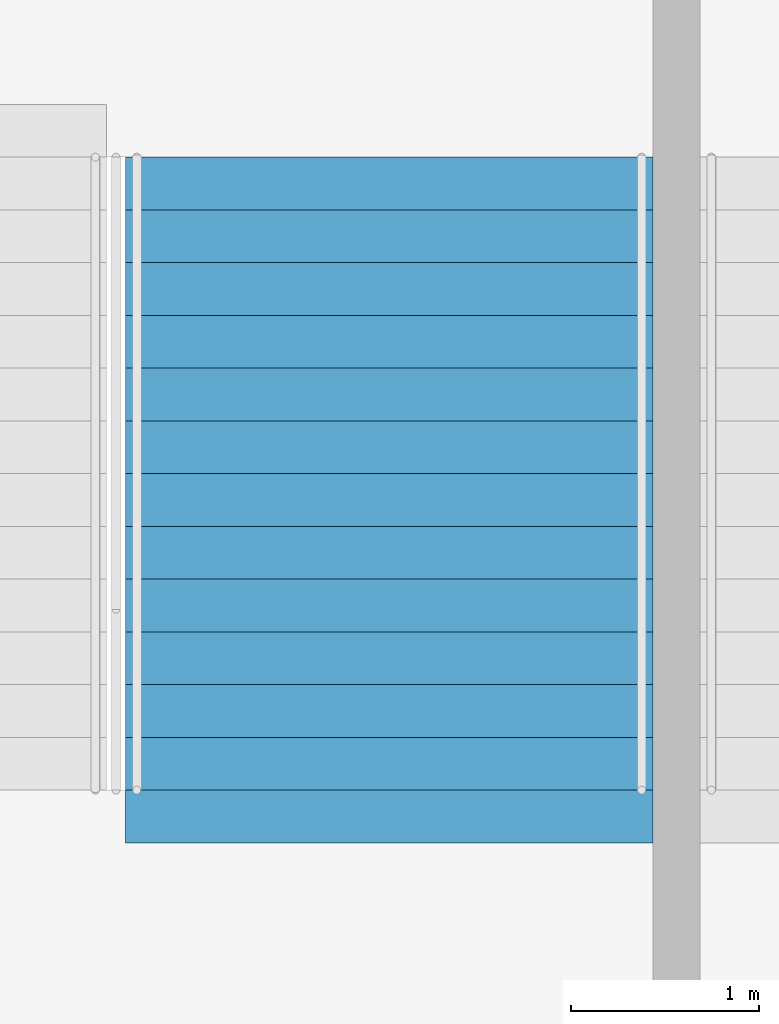
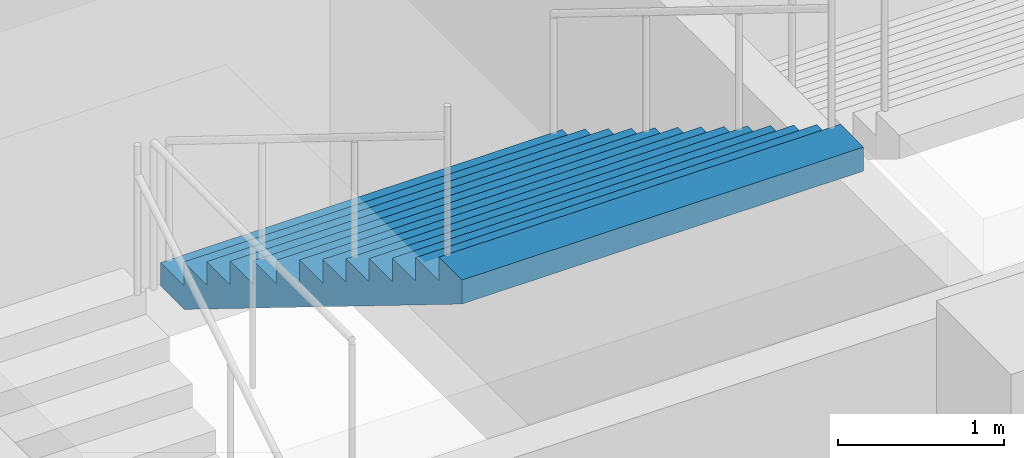
# One storey, part 149 of 177: 1 stair flight, 1 element without a shape of its own.
"""IFC4 building model written with IfcOpenShell, lengths in metres."""

from ifc_helpers import new_model, si_unit, direction, frame, origin, place, context, subcontext, project, spatial, faceted_brep, material, type_object, element, aggregate, save


model = new_model("IFC4")

# Units and contexts
model_context = context("Model", 3, precision=1e-05, world=origin(), true_north=direction((0.0, 1.0)))
body_context = subcontext(model_context, "Body", "Model", "MODEL_VIEW")
ifc_project = project(units=[si_unit("LENGTHUNIT", "METRE"), si_unit("AREAUNIT", "SQUARE_METRE"), si_unit("VOLUMEUNIT", "CUBIC_METRE"), si_unit("PLANEANGLEUNIT", "RADIAN"), si_unit("MASSUNIT", "GRAM", prefix="KILO")], contexts=[model_context])

# Site, building, storey
site_placement = place(None, origin())
site = spatial("IfcSite", under=ifc_project, at=site_placement, CompositionType="ELEMENT")
building_placement = place(site_placement, origin())
building = spatial("IfcBuilding", under=site, at=building_placement, Name="Ogive Plaza Stadium", CompositionType="ELEMENT")
storey_placement = place(building_placement, frame((0.0, 0.0, 18.0)))
storey = spatial("IfcBuildingStorey", under=building, at=storey_placement, Name="L04", CompositionType="ELEMENT", Elevation=18.0)

# Stair, stair flight
ifc_material_1 = material(Name="Concrete C40/50", Category="concrete")
stair_type = type_object("IfcStairType", Name="Exit stair", PredefinedType="STRAIGHT_RUN_STAIR", material=ifc_material_1)
stair_placement = place(storey_placement, origin())
stair = element("IfcStair", 1, at=stair_placement, inside=storey, type_object=stair_type, Name="Exit stair ST36B L04 to L05", PredefinedType="STRAIGHT_RUN_STAIR")
ifc_material_2 = material(Name="Concrete C40/50", Category="concrete")
stair_flight_type = type_object("IfcStairFlightType", Name="Exit stair flight", PredefinedType="STRAIGHT", material=ifc_material_2)
stair_flight_placement = place(storey_placement, frame((18.875, 98.2099609375, 2.25), z_axis=(0.0, 0.0, 1.0), x_axis=(0.0, -1.0, 0.0)))
stair_flight = element("IfcStairFlight", 2, at=stair_flight_placement, type_object=stair_flight_type, Name="ST36B flight 2", NumberOfRisers=13, NumberOfTreads=12, PredefinedType="STRAIGHT", RiserHeight=0.173076923, TreadLength=0.28, context=body_context, shape_type="Brep", body=[
    faceted_brep([(0.28515625, -1.39990234375, 0.0), (3.639892578125, -1.39990234375, 2.07373046875), (3.639892578125, -1.39990234375, 2.25), (3.360107421875, -1.39990234375, 2.25), (3.360107421875, -1.39990234375, 2.076904296875), (3.080078125, -1.39990234375, 2.076904296875), (3.080078125, -1.39990234375, 1.90380859375), (2.800048828125, -1.39990234375, 1.90380859375), (2.800048828125, -1.39990234375, 1.730712890625), (2.52001953125, -1.39990234375, 1.730712890625), (2.52001953125, -1.39990234375, 1.5576171875), (2.239990234375, -1.39990234375, 1.5576171875), (2.239990234375, -1.39990234375, 1.384521484375), (1.9599609375, -1.39990234375, 1.384521484375), (1.9599609375, -1.39990234375, 1.21142578125), (1.679931640625, -1.39990234375, 1.21142578125), (1.679931640625, -1.39990234375, 1.03857421875), (1.39990234375, -1.39990234375, 1.03857421875), (1.39990234375, -1.39990234375, 0.865478515625), (1.1201171875, -1.39990234375, 0.865478515625), (1.1201171875, -1.39990234375, 0.6923828125), (0.840087890625, -1.39990234375, 0.6923828125), (0.840087890625, -1.39990234375, 0.519287109375), (0.56005859375, -1.39990234375, 0.519287109375), (0.56005859375, -1.39990234375, 0.34619140625), (0.280029296875, -1.39990234375, 0.34619140625), (0.280029296875, -1.39990234375, 0.173095703125), (0.0, -1.39990234375, 0.173095703125), (0.0, -1.39990234375, 0.0), (0.0, 1.39990234375, 0.0), (0.0, 1.39990234375, 0.173095703125), (0.280029296875, 1.39990234375, 0.173095703125), (0.280029296875, 1.39990234375, 0.34619140625), (0.56005859375, 1.39990234375, 0.34619140625), (0.56005859375, 1.39990234375, 0.519287109375), (0.840087890625, 1.39990234375, 0.519287109375), (0.840087890625, 1.39990234375, 0.6923828125), (1.1201171875, 1.39990234375, 0.6923828125), (1.1201171875, 1.39990234375, 0.865478515625), (1.39990234375, 1.39990234375, 0.865478515625), (1.39990234375, 1.39990234375, 1.03857421875), (1.679931640625, 1.39990234375, 1.03857421875), (1.679931640625, 1.39990234375, 1.21142578125), (1.9599609375, 1.39990234375, 1.21142578125), (1.9599609375, 1.39990234375, 1.384521484375), (2.239990234375, 1.39990234375, 1.384521484375), (2.239990234375, 1.39990234375, 1.5576171875), (2.52001953125, 1.39990234375, 1.5576171875), (2.52001953125, 1.39990234375, 1.730712890625), (2.800048828125, 1.39990234375, 1.730712890625), (2.800048828125, 1.39990234375, 1.90380859375), (3.080078125, 1.39990234375, 1.90380859375), (3.080078125, 1.39990234375, 2.076904296875), (3.360107421875, 1.39990234375, 2.076904296875), (3.360107421875, 1.39990234375, 2.25), (3.639892578125, 1.39990234375, 2.25), (3.639892578125, 1.39990234375, 2.07373046875), (0.28515625, 1.39990234375, 0.0), (0.28515625, -1.0888671875, 0.0), (3.639892578125, -1.0888671875, 2.07373046875), (0.28515625, -0.77783203125, 0.0), (3.639892578125, -0.77783203125, 2.07373046875), (0.28515625, -0.466796875, 0.0), (3.639892578125, -0.466796875, 2.07373046875), (0.28515625, -0.155517578125, 0.0), (3.639892578125, -0.155517578125, 2.07373046875), (0.28515625, 0.155517578125, 0.0), (3.639892578125, 0.155517578125, 2.07373046875), (0.28515625, 0.466796875, 0.0), (3.639892578125, 0.466796875, 2.07373046875), (0.28515625, 0.77783203125, 0.0), (3.639892578125, 0.77783203125, 2.07373046875), (0.28515625, 1.0888671875, 0.0), (3.639892578125, 1.0888671875, 2.07373046875), (3.639892578125, -1.0888671875, 2.25), (3.639892578125, -0.77783203125, 2.25), (3.639892578125, -0.466796875, 2.25), (3.639892578125, -0.155517578125, 2.25), (3.639892578125, 0.155517578125, 2.25), (3.639892578125, 0.466796875, 2.25), (3.639892578125, 0.77783203125, 2.25), (3.639892578125, 1.0888671875, 2.25), (3.360107421875, -1.0888671875, 2.25), (3.360107421875, -0.77783203125, 2.25), (3.360107421875, -0.466796875, 2.25), (3.360107421875, -0.155517578125, 2.25), (3.360107421875, 0.155517578125, 2.25), (3.360107421875, 0.466796875, 2.25), (3.360107421875, 0.77783203125, 2.25), (3.360107421875, 1.0888671875, 2.25), (3.360107421875, -1.0888671875, 2.076904296875), (3.360107421875, -0.77783203125, 2.076904296875), (3.360107421875, -0.466796875, 2.076904296875), (3.360107421875, -0.155517578125, 2.076904296875), (3.360107421875, 0.155517578125, 2.076904296875), (3.360107421875, 0.466796875, 2.076904296875), (3.360107421875, 0.77783203125, 2.076904296875), (3.360107421875, 1.0888671875, 2.076904296875), (3.080078125, -1.0888671875, 2.076904296875), (3.080078125, -0.77783203125, 2.076904296875), (3.080078125, -0.466796875, 2.076904296875), (3.080078125, -0.155517578125, 2.076904296875), (3.080078125, 0.155517578125, 2.076904296875), (3.080078125, 0.466796875, 2.076904296875), (3.080078125, 0.77783203125, 2.076904296875), (3.080078125, 1.0888671875, 2.076904296875), (3.080078125, -1.0888671875, 1.90380859375), (3.080078125, -0.77783203125, 1.90380859375), (3.080078125, -0.466796875, 1.90380859375), (3.080078125, -0.155517578125, 1.90380859375), (3.080078125, 0.155517578125, 1.90380859375), (3.080078125, 0.466796875, 1.90380859375), (3.080078125, 0.77783203125, 1.90380859375), (3.080078125, 1.0888671875, 1.90380859375), (2.800048828125, -1.0888671875, 1.90380859375), (2.800048828125, -0.77783203125, 1.90380859375), (2.800048828125, -0.466796875, 1.90380859375), (2.800048828125, -0.155517578125, 1.90380859375), (2.800048828125, 0.155517578125, 1.90380859375), (2.800048828125, 0.466796875, 1.90380859375), (2.800048828125, 0.77783203125, 1.90380859375), (2.800048828125, 1.0888671875, 1.90380859375), (2.800048828125, -1.0888671875, 1.730712890625), (2.800048828125, -0.77783203125, 1.730712890625), (2.800048828125, -0.466796875, 1.730712890625), (2.800048828125, -0.155517578125, 1.730712890625), (2.800048828125, 0.155517578125, 1.730712890625), (2.800048828125, 0.466796875, 1.730712890625), (2.800048828125, 0.77783203125, 1.730712890625), (2.800048828125, 1.0888671875, 1.730712890625), (2.52001953125, -1.0888671875, 1.730712890625), (2.52001953125, -0.77783203125, 1.730712890625), (2.52001953125, -0.466796875, 1.730712890625), (2.52001953125, -0.155517578125, 1.730712890625), (2.52001953125, 0.155517578125, 1.730712890625), (2.52001953125, 0.466796875, 1.730712890625), (2.52001953125, 0.77783203125, 1.730712890625), (2.52001953125, 1.0888671875, 1.730712890625), (2.52001953125, -1.0888671875, 1.5576171875), (2.52001953125, -0.77783203125, 1.5576171875), (2.52001953125, -0.466796875, 1.5576171875), (2.52001953125, -0.155517578125, 1.5576171875), (2.52001953125, 0.155517578125, 1.5576171875), (2.52001953125, 0.466796875, 1.5576171875), (2.52001953125, 0.77783203125, 1.5576171875), (2.52001953125, 1.0888671875, 1.5576171875), (2.239990234375, -1.0888671875, 1.5576171875), (2.239990234375, -0.77783203125, 1.5576171875), (2.239990234375, -0.466796875, 1.5576171875), (2.239990234375, -0.155517578125, 1.5576171875), (2.239990234375, 0.155517578125, 1.5576171875), (2.239990234375, 0.466796875, 1.5576171875), (2.239990234375, 0.77783203125, 1.5576171875), (2.239990234375, 1.0888671875, 1.5576171875), (2.239990234375, -1.0888671875, 1.384521484375), (2.239990234375, -0.77783203125, 1.384521484375), (2.239990234375, -0.466796875, 1.384521484375), (2.239990234375, -0.155517578125, 1.384521484375), (2.239990234375, 0.155517578125, 1.384521484375), (2.239990234375, 0.466796875, 1.384521484375), (2.239990234375, 0.77783203125, 1.384521484375), (2.239990234375, 1.0888671875, 1.384521484375), (1.9599609375, -1.0888671875, 1.384521484375), (1.9599609375, -0.77783203125, 1.384521484375), (1.9599609375, -0.466796875, 1.384521484375), (1.9599609375, -0.155517578125, 1.384521484375), (1.9599609375, 0.155517578125, 1.384521484375), (1.9599609375, 0.466796875, 1.384521484375), (1.9599609375, 0.77783203125, 1.384521484375), (1.9599609375, 1.0888671875, 1.384521484375), (1.9599609375, -1.0888671875, 1.21142578125), (1.9599609375, -0.77783203125, 1.21142578125), (1.9599609375, -0.466796875, 1.21142578125), (1.9599609375, -0.155517578125, 1.21142578125), (1.9599609375, 0.155517578125, 1.21142578125), (1.9599609375, 0.466796875, 1.21142578125), (1.9599609375, 0.77783203125, 1.21142578125), (1.9599609375, 1.0888671875, 1.21142578125), (1.679931640625, -1.0888671875, 1.21142578125), (1.679931640625, -0.77783203125, 1.21142578125), (1.679931640625, -0.466796875, 1.21142578125), (1.679931640625, -0.155517578125, 1.21142578125), (1.679931640625, 0.155517578125, 1.21142578125), (1.679931640625, 0.466796875, 1.21142578125), (1.679931640625, 0.77783203125, 1.21142578125), (1.679931640625, 1.0888671875, 1.21142578125), (1.679931640625, -1.0888671875, 1.03857421875), (1.679931640625, -0.77783203125, 1.03857421875), (1.679931640625, -0.466796875, 1.03857421875), (1.679931640625, -0.155517578125, 1.03857421875), (1.679931640625, 0.155517578125, 1.03857421875), (1.679931640625, 0.466796875, 1.03857421875), (1.679931640625, 0.77783203125, 1.03857421875), (1.679931640625, 1.0888671875, 1.03857421875), (1.39990234375, -1.0888671875, 1.03857421875), (1.39990234375, -0.77783203125, 1.03857421875), (1.39990234375, -0.466796875, 1.03857421875), (1.39990234375, -0.155517578125, 1.03857421875), (1.39990234375, 0.155517578125, 1.03857421875), (1.39990234375, 0.466796875, 1.03857421875), (1.39990234375, 0.77783203125, 1.03857421875), (1.39990234375, 1.0888671875, 1.03857421875), (1.39990234375, -1.0888671875, 0.865478515625), (1.39990234375, -0.77783203125, 0.865478515625), (1.39990234375, -0.466796875, 0.865478515625), (1.39990234375, -0.155517578125, 0.865478515625), (1.39990234375, 0.155517578125, 0.865478515625), (1.39990234375, 0.466796875, 0.865478515625), (1.39990234375, 0.77783203125, 0.865478515625), (1.39990234375, 1.0888671875, 0.865478515625), (1.1201171875, -1.0888671875, 0.865478515625), (1.1201171875, -0.77783203125, 0.865478515625), (1.1201171875, -0.466796875, 0.865478515625), (1.1201171875, -0.155517578125, 0.865478515625), (1.1201171875, 0.155517578125, 0.865478515625), (1.1201171875, 0.466796875, 0.865478515625), (1.1201171875, 0.77783203125, 0.865478515625), (1.1201171875, 1.0888671875, 0.865478515625), (1.1201171875, -1.0888671875, 0.6923828125), (1.1201171875, -0.77783203125, 0.6923828125), (1.1201171875, -0.466796875, 0.6923828125), (1.1201171875, -0.155517578125, 0.6923828125), (1.1201171875, 0.155517578125, 0.6923828125), (1.1201171875, 0.466796875, 0.6923828125), (1.1201171875, 0.77783203125, 0.6923828125), (1.1201171875, 1.0888671875, 0.6923828125), (0.840087890625, -1.0888671875, 0.6923828125), (0.840087890625, -0.77783203125, 0.6923828125), (0.840087890625, -0.466796875, 0.6923828125), (0.840087890625, -0.155517578125, 0.6923828125), (0.840087890625, 0.155517578125, 0.6923828125), (0.840087890625, 0.466796875, 0.6923828125), (0.840087890625, 0.77783203125, 0.6923828125), (0.840087890625, 1.0888671875, 0.6923828125), (0.840087890625, -1.0888671875, 0.519287109375), (0.840087890625, -0.77783203125, 0.519287109375), (0.840087890625, -0.466796875, 0.519287109375), (0.840087890625, -0.155517578125, 0.519287109375), (0.840087890625, 0.155517578125, 0.519287109375), (0.840087890625, 0.466796875, 0.519287109375), (0.840087890625, 0.77783203125, 0.519287109375), (0.840087890625, 1.0888671875, 0.519287109375), (0.56005859375, -1.0888671875, 0.519287109375), (0.56005859375, -0.77783203125, 0.519287109375), (0.56005859375, -0.466796875, 0.519287109375), (0.56005859375, -0.155517578125, 0.519287109375), (0.56005859375, 0.155517578125, 0.519287109375), (0.56005859375, 0.466796875, 0.519287109375), (0.56005859375, 0.77783203125, 0.519287109375), (0.56005859375, 1.0888671875, 0.519287109375), (0.56005859375, -1.0888671875, 0.34619140625), (0.56005859375, -0.77783203125, 0.34619140625), (0.56005859375, -0.466796875, 0.34619140625), (0.56005859375, -0.155517578125, 0.34619140625), (0.56005859375, 0.155517578125, 0.34619140625), (0.56005859375, 0.466796875, 0.34619140625), (0.56005859375, 0.77783203125, 0.34619140625), (0.56005859375, 1.0888671875, 0.34619140625), (0.280029296875, -1.0888671875, 0.34619140625), (0.280029296875, -0.77783203125, 0.34619140625), (0.280029296875, -0.466796875, 0.34619140625), (0.280029296875, -0.155517578125, 0.34619140625), (0.280029296875, 0.155517578125, 0.34619140625), (0.280029296875, 0.466796875, 0.34619140625), (0.280029296875, 0.77783203125, 0.34619140625), (0.280029296875, 1.0888671875, 0.34619140625), (0.280029296875, -1.0888671875, 0.173095703125), (0.280029296875, -0.77783203125, 0.173095703125), (0.280029296875, -0.466796875, 0.173095703125), (0.280029296875, -0.155517578125, 0.173095703125), (0.280029296875, 0.155517578125, 0.173095703125), (0.280029296875, 0.466796875, 0.173095703125), (0.280029296875, 0.77783203125, 0.173095703125), (0.280029296875, 1.0888671875, 0.173095703125), (0.0, -1.0888671875, 0.173095703125), (0.0, -0.77783203125, 0.173095703125), (0.0, -0.466796875, 0.173095703125), (0.0, -0.155517578125, 0.173095703125), (0.0, 0.155517578125, 0.173095703125), (0.0, 0.466796875, 0.173095703125), (0.0, 0.77783203125, 0.173095703125), (0.0, 1.0888671875, 0.173095703125), (0.0, -1.0888671875, 0.0), (0.0, -0.77783203125, 0.0), (0.0, -0.466796875, 0.0), (0.0, -0.155517578125, 0.0), (0.0, 0.155517578125, 0.0), (0.0, 0.466796875, 0.0), (0.0, 0.77783203125, 0.0), (0.0, 1.0888671875, 0.0)], [[[0, 1, 2, 3, 4, 5, 6, 7, 8, 9, 10, 11, 12, 13, 14, 15, 16, 17, 18, 19, 20, 21, 22, 23, 24, 25, 26, 27, 28]], [[29, 30, 31, 32, 33, 34, 35, 36, 37, 38, 39, 40, 41, 42, 43, 44, 45, 46, 47, 48, 49, 50, 51, 52, 53, 54, 55, 56, 57]], [[0, 58, 59, 1]], [[58, 60, 61, 59]], [[60, 62, 63, 61]], [[62, 64, 65, 63]], [[64, 66, 67, 65]], [[66, 68, 69, 67]], [[68, 70, 71, 69]], [[70, 72, 73, 71]], [[72, 57, 56, 73]], [[1, 59, 74, 2]], [[59, 61, 75, 74]], [[61, 63, 76, 75]], [[63, 65, 77, 76]], [[65, 67, 78, 77]], [[67, 69, 79, 78]], [[69, 71, 80, 79]], [[71, 73, 81, 80]], [[73, 56, 55, 81]], [[2, 74, 82, 3]], [[74, 75, 83, 82]], [[75, 76, 84, 83]], [[76, 77, 85, 84]], [[77, 78, 86, 85]], [[78, 79, 87, 86]], [[79, 80, 88, 87]], [[80, 81, 89, 88]], [[81, 55, 54, 89]], [[3, 82, 90, 4]], [[82, 83, 91, 90]], [[83, 84, 92, 91]], [[84, 85, 93, 92]], [[85, 86, 94, 93]], [[86, 87, 95, 94]], [[87, 88, 96, 95]], [[88, 89, 97, 96]], [[89, 54, 53, 97]], [[4, 90, 98, 5]], [[90, 91, 99, 98]], [[91, 92, 100, 99]], [[92, 93, 101, 100]], [[93, 94, 102, 101]], [[94, 95, 103, 102]], [[95, 96, 104, 103]], [[96, 97, 105, 104]], [[97, 53, 52, 105]], [[5, 98, 106, 6]], [[98, 99, 107, 106]], [[99, 100, 108, 107]], [[100, 101, 109, 108]], [[101, 102, 110, 109]], [[102, 103, 111, 110]], [[103, 104, 112, 111]], [[104, 105, 113, 112]], [[105, 52, 51, 113]], [[6, 106, 114, 7]], [[106, 107, 115, 114]], [[107, 108, 116, 115]], [[108, 109, 117, 116]], [[109, 110, 118, 117]], [[110, 111, 119, 118]], [[111, 112, 120, 119]], [[112, 113, 121, 120]], [[113, 51, 50, 121]], [[7, 114, 122, 8]], [[114, 115, 123, 122]], [[115, 116, 124, 123]], [[116, 117, 125, 124]], [[117, 118, 126, 125]], [[118, 119, 127, 126]], [[119, 120, 128, 127]], [[120, 121, 129, 128]], [[121, 50, 49, 129]], [[8, 122, 130, 9]], [[122, 123, 131, 130]], [[123, 124, 132, 131]], [[124, 125, 133, 132]], [[125, 126, 134, 133]], [[126, 127, 135, 134]], [[127, 128, 136, 135]], [[128, 129, 137, 136]], [[129, 49, 48, 137]], [[9, 130, 138, 10]], [[130, 131, 139, 138]], [[131, 132, 140, 139]], [[132, 133, 141, 140]], [[133, 134, 142, 141]], [[134, 135, 143, 142]], [[135, 136, 144, 143]], [[136, 137, 145, 144]], [[137, 48, 47, 145]], [[10, 138, 146, 11]], [[138, 139, 147, 146]], [[139, 140, 148, 147]], [[140, 141, 149, 148]], [[141, 142, 150, 149]], [[142, 143, 151, 150]], [[143, 144, 152, 151]], [[144, 145, 153, 152]], [[145, 47, 46, 153]], [[11, 146, 154, 12]], [[146, 147, 155, 154]], [[147, 148, 156, 155]], [[148, 149, 157, 156]], [[149, 150, 158, 157]], [[150, 151, 159, 158]], [[151, 152, 160, 159]], [[152, 153, 161, 160]], [[153, 46, 45, 161]], [[12, 154, 162, 13]], [[154, 155, 163, 162]], [[155, 156, 164, 163]], [[156, 157, 165, 164]], [[157, 158, 166, 165]], [[158, 159, 167, 166]], [[159, 160, 168, 167]], [[160, 161, 169, 168]], [[161, 45, 44, 169]], [[13, 162, 170, 14]], [[162, 163, 171, 170]], [[163, 164, 172, 171]], [[164, 165, 173, 172]], [[165, 166, 174, 173]], [[166, 167, 175, 174]], [[167, 168, 176, 175]], [[168, 169, 177, 176]], [[169, 44, 43, 177]], [[14, 170, 178, 15]], [[170, 171, 179, 178]], [[171, 172, 180, 179]], [[172, 173, 181, 180]], [[173, 174, 182, 181]], [[174, 175, 183, 182]], [[175, 176, 184, 183]], [[176, 177, 185, 184]], [[177, 43, 42, 185]], [[15, 178, 186, 16]], [[178, 179, 187, 186]], [[179, 180, 188, 187]], [[180, 181, 189, 188]], [[181, 182, 190, 189]], [[182, 183, 191, 190]], [[183, 184, 192, 191]], [[184, 185, 193, 192]], [[185, 42, 41, 193]], [[16, 186, 194, 17]], [[186, 187, 195, 194]], [[187, 188, 196, 195]], [[188, 189, 197, 196]], [[189, 190, 198, 197]], [[190, 191, 199, 198]], [[191, 192, 200, 199]], [[192, 193, 201, 200]], [[193, 41, 40, 201]], [[17, 194, 202, 18]], [[194, 195, 203, 202]], [[195, 196, 204, 203]], [[196, 197, 205, 204]], [[197, 198, 206, 205]], [[198, 199, 207, 206]], [[199, 200, 208, 207]], [[200, 201, 209, 208]], [[201, 40, 39, 209]], [[18, 202, 210, 19]], [[202, 203, 211, 210]], [[203, 204, 212, 211]], [[204, 205, 213, 212]], [[205, 206, 214, 213]], [[206, 207, 215, 214]], [[207, 208, 216, 215]], [[208, 209, 217, 216]], [[209, 39, 38, 217]], [[19, 210, 218, 20]], [[210, 211, 219, 218]], [[211, 212, 220, 219]], [[212, 213, 221, 220]], [[213, 214, 222, 221]], [[214, 215, 223, 222]], [[215, 216, 224, 223]], [[216, 217, 225, 224]], [[217, 38, 37, 225]], [[20, 218, 226, 21]], [[218, 219, 227, 226]], [[219, 220, 228, 227]], [[220, 221, 229, 228]], [[221, 222, 230, 229]], [[222, 223, 231, 230]], [[223, 224, 232, 231]], [[224, 225, 233, 232]], [[225, 37, 36, 233]], [[21, 226, 234, 22]], [[226, 227, 235, 234]], [[227, 228, 236, 235]], [[228, 229, 237, 236]], [[229, 230, 238, 237]], [[230, 231, 239, 238]], [[231, 232, 240, 239]], [[232, 233, 241, 240]], [[233, 36, 35, 241]], [[22, 234, 242, 23]], [[234, 235, 243, 242]], [[235, 236, 244, 243]], [[236, 237, 245, 244]], [[237, 238, 246, 245]], [[238, 239, 247, 246]], [[239, 240, 248, 247]], [[240, 241, 249, 248]], [[241, 35, 34, 249]], [[23, 242, 250, 24]], [[242, 243, 251, 250]], [[243, 244, 252, 251]], [[244, 245, 253, 252]], [[245, 246, 254, 253]], [[246, 247, 255, 254]], [[247, 248, 256, 255]], [[248, 249, 257, 256]], [[249, 34, 33, 257]], [[24, 250, 258, 25]], [[250, 251, 259, 258]], [[251, 252, 260, 259]], [[252, 253, 261, 260]], [[253, 254, 262, 261]], [[254, 255, 263, 262]], [[255, 256, 264, 263]], [[256, 257, 265, 264]], [[257, 33, 32, 265]], [[25, 258, 266, 26]], [[258, 259, 267, 266]], [[259, 260, 268, 267]], [[260, 261, 269, 268]], [[261, 262, 270, 269]], [[262, 263, 271, 270]], [[263, 264, 272, 271]], [[264, 265, 273, 272]], [[265, 32, 31, 273]], [[26, 266, 274, 27]], [[266, 267, 275, 274]], [[267, 268, 276, 275]], [[268, 269, 277, 276]], [[269, 270, 278, 277]], [[270, 271, 279, 278]], [[271, 272, 280, 279]], [[272, 273, 281, 280]], [[273, 31, 30, 281]], [[27, 274, 282, 28]], [[274, 275, 283, 282]], [[275, 276, 284, 283]], [[276, 277, 285, 284]], [[277, 278, 286, 285]], [[278, 279, 287, 286]], [[279, 280, 288, 287]], [[280, 281, 289, 288]], [[281, 30, 29, 289]], [[28, 282, 58, 0]], [[282, 283, 60, 58]], [[283, 284, 62, 60]], [[284, 285, 64, 62]], [[285, 286, 66, 64]], [[286, 287, 68, 66]], [[287, 288, 70, 68]], [[288, 289, 72, 70]], [[289, 29, 57, 72]]]),
])
aggregate(stair, [stair_flight])

save(model, "model.ifc")
